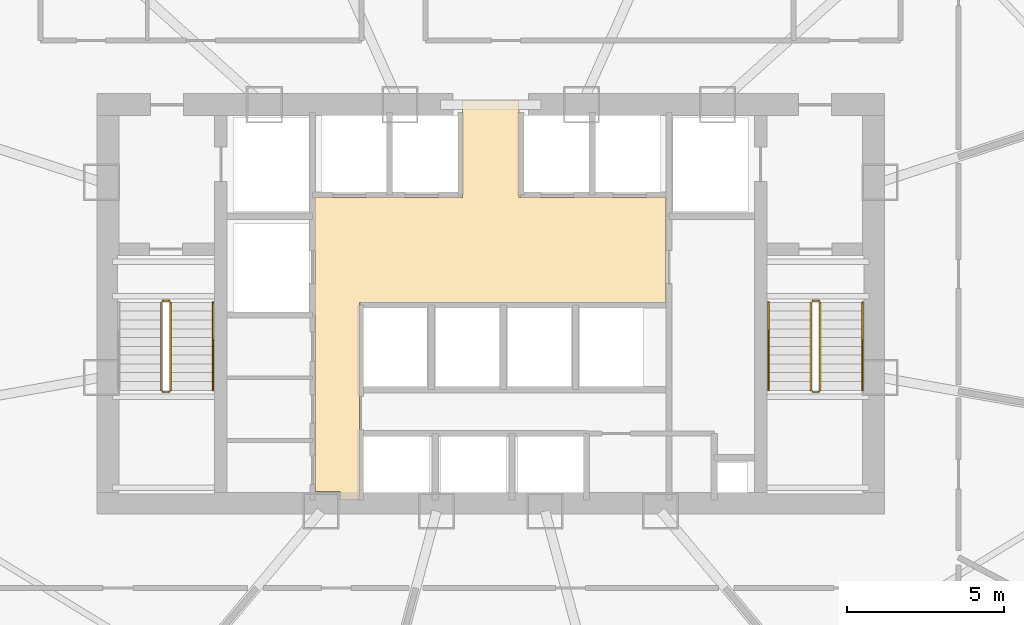
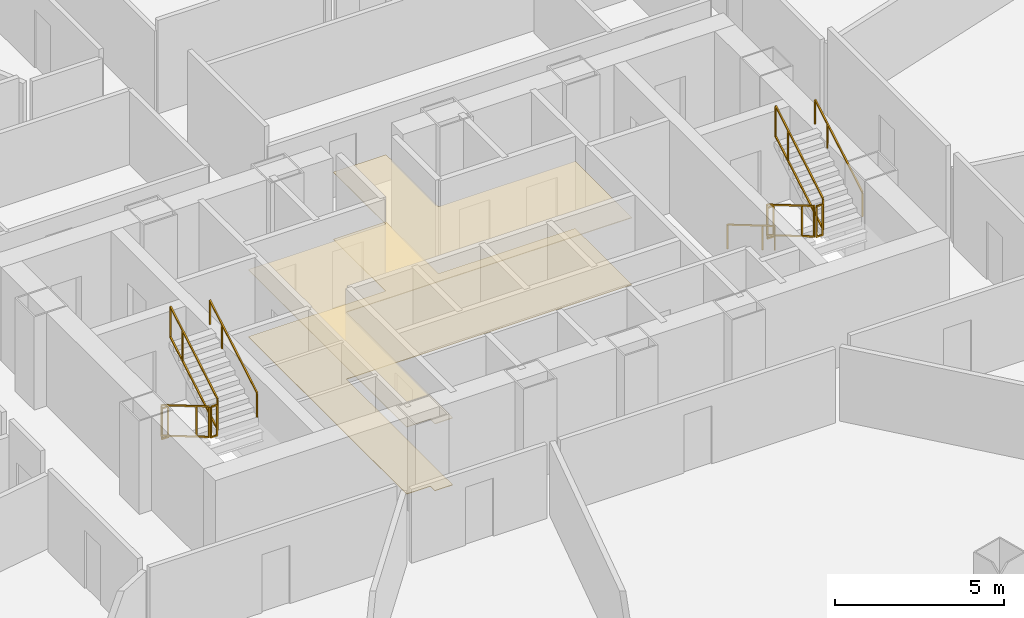
# One storey, part 35 of 37: 11 railings, 2 coverings.
"""IFC4 building model written with IfcOpenShell, lengths in metres."""

from ifc_helpers import new_model, si_unit, direction, frame, origin, origin_2d, place, context, subcontext, project, spatial, polyline, rectangle, outline, extrude, material, layer, layer_set, type_object, element, save


model = new_model("IFC4")

# Units and contexts
model_context = context("Model", 3, precision=1e-05, world=origin(), true_north=direction((0.0, 1.0)))
body_context = subcontext(model_context, "Body", "Model", "MODEL_VIEW")
ifc_project = project(units=[si_unit("LENGTHUNIT", "METRE"), si_unit("AREAUNIT", "SQUARE_METRE"), si_unit("VOLUMEUNIT", "CUBIC_METRE"), si_unit("PLANEANGLEUNIT", "RADIAN"), si_unit("MASSUNIT", "GRAM", prefix="KILO"), si_unit("THERMODYNAMICTEMPERATUREUNIT", "KELVIN"), si_unit("POWERUNIT", "WATT")], contexts=[model_context])

# Site, building, storey
site_placement = place(None, origin())
site = spatial("IfcSite", under=ifc_project, at=site_placement, CompositionType="ELEMENT")
building_placement = place(site_placement, origin())
building = spatial("IfcBuilding", under=site, at=building_placement, Name="Yunzhuo Pagoda Commons", CompositionType="ELEMENT")
storey_placement = place(building_placement, frame((0.0, 0.0, 52.179931640625)))
storey = spatial("IfcBuildingStorey", under=building, at=storey_placement, Name="L13", CompositionType="ELEMENT", Elevation=52.179931640625)

# Coverings
ifc_material_1 = material(Name="Mineral fibre acoustic ceiling board")
ifc_layer_1 = layer(ifc_material_1, 0.02490234375)
ifc_layer_set_1 = layer_set([ifc_layer_1], Name="Mineral fibre acoustic ceiling board")
covering_type_1 = type_object("IfcCoveringType", Name="COV-CL1 Ceiling 25", PredefinedType="CEILING", material=ifc_layer_set_1)
covering_1_placement = place(storey_placement, frame((0.0, 0.0, 2.420166015625)))
element("IfcCovering", 1, at=covering_1_placement, inside=storey, type_object=covering_type_1, Name="L13 lift lobby acoustic ceiling", PredefinedType="CEILING", context=body_context, shape_type="SweptSolid", body=[
    extrude(outline(polyline([(43.207763671875, 27.85009765625), (43.201904296875, 27.864013671875), (43.187744140625, 27.8701171875), (42.39990234375, 27.8701171875), (42.39990234375, 33.89990234375), (42.39990234375, 37.25), (47.10009765625, 37.25), (47.10009765625, 40.35009765625), (48.89990234375, 40.35009765625), (48.89990234375, 37.25), (53.580078125, 37.25), (53.580078125, 33.89990234375), (43.820068359375, 33.89990234375), (43.820068359375, 27.60009765625), (43.207763671875, 27.60009765625), (43.207763671875, 27.85009765625)])), origin(), (0.0, 0.0, 1.0), 0.02490234375),
])
ifc_material_2 = material(Name="Porcelain ceramic floor tile")
ifc_layer_2 = layer(ifc_material_2, 0.02001953125)
ifc_layer_set_2 = layer_set([ifc_layer_2], Name="Porcelain ceramic floor tile")
covering_type_2 = type_object("IfcCoveringType", Name="COV-FL1 Flooring 20", PredefinedType="FLOORING", material=ifc_layer_set_2)
covering_2_placement = place(storey_placement, origin())
element("IfcCovering", 2, at=covering_2_placement, inside=storey, type_object=covering_type_2, Name="L13 lift lobby flooring", PredefinedType="FLOORING", context=body_context, shape_type="SweptSolid", body=[
    extrude(outline(polyline([(43.207763671875, 27.85009765625), (43.201904296875, 27.864013671875), (43.187744140625, 27.8701171875), (42.39990234375, 27.8701171875), (42.39990234375, 33.89990234375), (42.39990234375, 37.25), (47.10009765625, 37.25), (47.10009765625, 40.35009765625), (48.89990234375, 40.35009765625), (48.89990234375, 37.25), (53.580078125, 37.25), (53.580078125, 33.89990234375), (43.820068359375, 33.89990234375), (43.820068359375, 27.60009765625), (43.207763671875, 27.60009765625), (43.207763671875, 27.85009765625)])), origin(), (0.0, 0.0, 1.0), 0.02001953125),
])

# Railings
ifc_material_3 = material(Name="Anodized aluminium 6063-T6", Category="aluminium")
railing_type_1 = type_object("IfcRailingType", Name="GR-ST1 Stair Well Guardrail 1150", PredefinedType="GUARDRAIL", material=ifc_material_3)
railing_1_placement = place(storey_placement, frame((37.5, 33.89990234375, 0.1650390625)))
element("IfcRailing", 3, at=railing_1_placement, inside=storey, type_object=railing_type_1, Name="L13 ST1 stair guard 1", PredefinedType="GUARDRAIL", context=body_context, shape_type="SweptSolid", body=[
    extrude(rectangle(XDim=0.048095703125, YDim=0.048095703125, at=origin_2d()), frame((0.0, 0.0, 1.1259765625), z_axis=(0.0, -0.861503254194, 0.507752048753), x_axis=(1.0, 0.0, 0.0)), (0.0, 0.0, 1.0), 3.25),
    extrude(rectangle(XDim=0.048095703125, YDim=0.048095703125, at=origin_2d()), frame((0.0, 0.0, 0.02392578125), z_axis=(0.0, -0.861503254194, 0.507752048753), x_axis=(1.0, 0.0, 0.0)), (0.0, 0.0, 1.0), 3.25),
    extrude(rectangle(XDim=0.0419921875, YDim=0.0419921875, at=origin_2d()), origin(), (0.0, 0.0, 1.0), 1.101806640625),
    extrude(rectangle(XDim=0.0419921875, YDim=0.0419921875, at=origin_2d()), frame((0.0, -2.067626953125, 1.218505859375)), (0.0, 0.0, 1.0), 1.101806640625),
    extrude(rectangle(XDim=0.0419921875, YDim=0.0419921875, at=origin_2d()), frame((0.0, -2.7998046875, 1.650146484375)), (0.0, 0.0, 1.0), 1.101806640625),
])
railing_2_placement = place(storey_placement, frame((37.550048828125, 31.050048828125, 1.815185546875)))
element("IfcRailing", 4, at=railing_2_placement, inside=storey, type_object=railing_type_1, Name="L13 ST1 stair guard 2", PredefinedType="GUARDRAIL", context=body_context, shape_type="SweptSolid", body=[
    extrude(rectangle(XDim=0.048095703125, YDim=0.048095703125, at=origin_2d()), frame((0.0, 0.0, 1.1259765625), z_axis=(1.0, 0.0, 0.0), x_axis=(0.0, 1.0, 0.0)), (0.0, 0.0, 1.0), 0.199951171875),
    extrude(rectangle(XDim=0.048095703125, YDim=0.048095703125, at=origin_2d()), frame((0.0, 0.0, 0.02392578125), z_axis=(1.0, 0.0, 0.0), x_axis=(0.0, 1.0, 0.0)), (0.0, 0.0, 1.0), 0.199951171875),
    extrude(rectangle(XDim=0.0419921875, YDim=0.0419921875, at=origin_2d()), origin(), (0.0, 0.0, 1.0), 1.101806640625),
    extrude(rectangle(XDim=0.0419921875, YDim=0.0419921875, at=origin_2d()), frame((0.199951171875, 0.0, 0.0)), (0.0, 0.0, 1.0), 1.101806640625),
])
railing_3_placement = place(storey_placement, frame((37.800048828125, 31.10009765625, 1.97998046875)))
element("IfcRailing", 5, at=railing_3_placement, inside=storey, type_object=railing_type_1, Name="L13 ST1 stair guard 3", PredefinedType="GUARDRAIL", context=body_context, shape_type="SweptSolid", body=[
    extrude(rectangle(XDim=0.048095703125, YDim=0.048095703125, at=origin_2d()), frame((0.0, 0.0, 1.1259765625), z_axis=(0.0, 0.861503254194, 0.507752048753), x_axis=(-1.0, 0.0, 0.0)), (0.0, 0.0, 1.0), 3.25),
    extrude(rectangle(XDim=0.048095703125, YDim=0.048095703125, at=origin_2d()), frame((0.0, 0.0, 0.02392578125), z_axis=(0.0, 0.861503254194, 0.507752048753), x_axis=(-1.0, 0.0, 0.0)), (0.0, 0.0, 1.0), 3.25),
    extrude(rectangle(XDim=0.0419921875, YDim=0.0419921875, at=origin_2d()), origin(), (0.0, 0.0, 1.0), 1.101806640625),
    extrude(rectangle(XDim=0.0419921875, YDim=0.0419921875, at=origin_2d()), frame((0.0, 2.067626953125, 1.218505859375)), (0.0, 0.0, 1.0), 1.101806640625),
    extrude(rectangle(XDim=0.0419921875, YDim=0.0419921875, at=origin_2d()), frame((0.0, 2.7998046875, 1.650146484375)), (0.0, 0.0, 1.0), 1.101806640625),
])
railing_4_placement = place(storey_placement, frame((37.550048828125, 33.949951171875, 0.0)))
element("IfcRailing", 6, at=railing_4_placement, inside=storey, type_object=railing_type_1, Name="L13 ST1 stair guard 4", PredefinedType="GUARDRAIL", context=body_context, shape_type="SweptSolid", body=[
    extrude(rectangle(XDim=0.048095703125, YDim=0.048095703125, at=origin_2d()), frame((0.0, 0.0, 1.1259765625), z_axis=(1.0, 0.0, 0.0), x_axis=(0.0, 1.0, 0.0)), (0.0, 0.0, 1.0), 0.199951171875),
    extrude(rectangle(XDim=0.048095703125, YDim=0.048095703125, at=origin_2d()), frame((0.0, 0.0, 0.02392578125), z_axis=(1.0, 0.0, 0.0), x_axis=(0.0, 1.0, 0.0)), (0.0, 0.0, 1.0), 0.199951171875),
    extrude(rectangle(XDim=0.0419921875, YDim=0.0419921875, at=origin_2d()), origin(), (0.0, 0.0, 1.0), 1.101806640625),
    extrude(rectangle(XDim=0.0419921875, YDim=0.0419921875, at=origin_2d()), frame((0.199951171875, 0.0, 0.0)), (0.0, 0.0, 1.0), 1.101806640625),
])
railing_type_2 = type_object("IfcRailingType", Name="GR-ST2 Stair Well Guardrail 1160", PredefinedType="GUARDRAIL", material=ifc_material_3)
railing_5_placement = place(storey_placement, frame((58.199951171875, 33.89990234375, 0.1650390625)))
element("IfcRailing", 7, at=railing_5_placement, inside=storey, type_object=railing_type_2, Name="L13 ST2 stair guard 1", PredefinedType="GUARDRAIL", context=body_context, shape_type="SweptSolid", body=[
    extrude(rectangle(XDim=0.048095703125, YDim=0.048095703125, at=origin_2d()), frame((0.0, 0.0, 1.1259765625), z_axis=(0.0, -0.861503254194, 0.507752048753), x_axis=(1.0, 0.0, 0.0)), (0.0, 0.0, 1.0), 3.25),
    extrude(rectangle(XDim=0.048095703125, YDim=0.048095703125, at=origin_2d()), frame((0.0, 0.0, 0.02392578125), z_axis=(0.0, -0.861503254194, 0.507752048753), x_axis=(1.0, 0.0, 0.0)), (0.0, 0.0, 1.0), 3.25),
    extrude(rectangle(XDim=0.0419921875, YDim=0.0419921875, at=origin_2d()), origin(), (0.0, 0.0, 1.0), 1.101806640625),
    extrude(rectangle(XDim=0.0419921875, YDim=0.0419921875, at=origin_2d()), frame((0.0, -2.067626953125, 1.218505859375)), (0.0, 0.0, 1.0), 1.101806640625),
    extrude(rectangle(XDim=0.0419921875, YDim=0.0419921875, at=origin_2d()), frame((0.0, -2.7998046875, 1.650146484375)), (0.0, 0.0, 1.0), 1.101806640625),
])
railing_6_placement = place(storey_placement, frame((58.25, 31.050048828125, 1.815185546875)))
element("IfcRailing", 8, at=railing_6_placement, inside=storey, type_object=railing_type_2, Name="L13 ST2 stair guard 2", PredefinedType="GUARDRAIL", context=body_context, shape_type="SweptSolid", body=[
    extrude(rectangle(XDim=0.048095703125, YDim=0.048095703125, at=origin_2d()), frame((0.0, 0.0, 1.1259765625), z_axis=(1.0, 0.0, 0.0), x_axis=(0.0, 1.0, 0.0)), (0.0, 0.0, 1.0), 0.199951171875),
    extrude(rectangle(XDim=0.048095703125, YDim=0.048095703125, at=origin_2d()), frame((0.0, 0.0, 0.02392578125), z_axis=(1.0, 0.0, 0.0), x_axis=(0.0, 1.0, 0.0)), (0.0, 0.0, 1.0), 0.199951171875),
    extrude(rectangle(XDim=0.0419921875, YDim=0.0419921875, at=origin_2d()), origin(), (0.0, 0.0, 1.0), 1.101806640625),
    extrude(rectangle(XDim=0.0419921875, YDim=0.0419921875, at=origin_2d()), frame((0.199951171875, 0.0, 0.0)), (0.0, 0.0, 1.0), 1.101806640625),
])
railing_7_placement = place(storey_placement, frame((58.5, 31.10009765625, 1.97998046875)))
element("IfcRailing", 9, at=railing_7_placement, inside=storey, type_object=railing_type_2, Name="L13 ST2 stair guard 3", PredefinedType="GUARDRAIL", context=body_context, shape_type="SweptSolid", body=[
    extrude(rectangle(XDim=0.048095703125, YDim=0.048095703125, at=origin_2d()), frame((0.0, 0.0, 1.1259765625), z_axis=(0.0, 0.861503254194, 0.507752048753), x_axis=(-1.0, 0.0, 0.0)), (0.0, 0.0, 1.0), 3.25),
    extrude(rectangle(XDim=0.048095703125, YDim=0.048095703125, at=origin_2d()), frame((0.0, 0.0, 0.02392578125), z_axis=(0.0, 0.861503254194, 0.507752048753), x_axis=(-1.0, 0.0, 0.0)), (0.0, 0.0, 1.0), 3.25),
    extrude(rectangle(XDim=0.0419921875, YDim=0.0419921875, at=origin_2d()), origin(), (0.0, 0.0, 1.0), 1.101806640625),
    extrude(rectangle(XDim=0.0419921875, YDim=0.0419921875, at=origin_2d()), frame((0.0, 2.067626953125, 1.218505859375)), (0.0, 0.0, 1.0), 1.101806640625),
    extrude(rectangle(XDim=0.0419921875, YDim=0.0419921875, at=origin_2d()), frame((0.0, 2.7998046875, 1.650146484375)), (0.0, 0.0, 1.0), 1.101806640625),
])
railing_8_placement = place(storey_placement, frame((58.25, 33.949951171875, 0.0)))
element("IfcRailing", 10, at=railing_8_placement, inside=storey, type_object=railing_type_2, Name="L13 ST2 stair guard 4", PredefinedType="GUARDRAIL", context=body_context, shape_type="SweptSolid", body=[
    extrude(rectangle(XDim=0.048095703125, YDim=0.048095703125, at=origin_2d()), frame((0.0, 0.0, 1.1259765625), z_axis=(1.0, 0.0, 0.0), x_axis=(0.0, 1.0, 0.0)), (0.0, 0.0, 1.0), 0.199951171875),
    extrude(rectangle(XDim=0.048095703125, YDim=0.048095703125, at=origin_2d()), frame((0.0, 0.0, 0.02392578125), z_axis=(1.0, 0.0, 0.0), x_axis=(0.0, 1.0, 0.0)), (0.0, 0.0, 1.0), 0.199951171875),
    extrude(rectangle(XDim=0.0419921875, YDim=0.0419921875, at=origin_2d()), origin(), (0.0, 0.0, 1.0), 1.101806640625),
    extrude(rectangle(XDim=0.0419921875, YDim=0.0419921875, at=origin_2d()), frame((0.199951171875, 0.0, 0.0)), (0.0, 0.0, 1.0), 1.101806640625),
])
railing_type_3 = type_object("IfcRailingType", Name="HR-ST1 Stair Handrail 900", PredefinedType="HANDRAIL", material=ifc_material_3)
railing_9_placement = place(storey_placement, frame((39.14990234375, 31.10009765625, 1.97998046875)))
element("IfcRailing", 11, at=railing_9_placement, inside=storey, type_object=railing_type_3, Name="L13 ST1 stair handrail 2", PredefinedType="HANDRAIL", context=body_context, shape_type="SweptSolid", body=[
    extrude(rectangle(XDim=0.048095703125, YDim=0.048095703125, at=origin_2d()), frame((0.0, 0.0, 0.8759765625), z_axis=(0.0, 0.861503254194, 0.507752048753), x_axis=(-1.0, 0.0, 0.0)), (0.0, 0.0, 1.0), 3.25),
    extrude(rectangle(XDim=0.0419921875, YDim=0.0419921875, at=origin_2d()), origin(), (0.0, 0.0, 1.0), 0.851806640625),
    extrude(rectangle(XDim=0.0419921875, YDim=0.0419921875, at=origin_2d()), frame((0.0, 2.067626953125, 1.218505859375)), (0.0, 0.0, 1.0), 0.851806640625),
    extrude(rectangle(XDim=0.0419921875, YDim=0.0419921875, at=origin_2d()), frame((0.0, 2.7998046875, 1.650146484375)), (0.0, 0.0, 1.0), 0.851806640625),
])
railing_type_4 = type_object("IfcRailingType", Name="HR-ST2 Stair Handrail 900", PredefinedType="HANDRAIL", material=ifc_material_3)
railing_10_placement = place(storey_placement, frame((56.85009765625, 33.89990234375, 0.1650390625)))
element("IfcRailing", 12, at=railing_10_placement, inside=storey, type_object=railing_type_4, Name="L13 ST2 stair handrail 1", PredefinedType="HANDRAIL", context=body_context, shape_type="SweptSolid", body=[
    extrude(rectangle(XDim=0.048095703125, YDim=0.048095703125, at=origin_2d()), frame((0.0, 0.0, 0.8759765625), z_axis=(0.0, -0.861503254194, 0.507752048753), x_axis=(1.0, 0.0, 0.0)), (0.0, 0.0, 1.0), 3.25),
    extrude(rectangle(XDim=0.0419921875, YDim=0.0419921875, at=origin_2d()), origin(), (0.0, 0.0, 1.0), 0.851806640625),
    extrude(rectangle(XDim=0.0419921875, YDim=0.0419921875, at=origin_2d()), frame((0.0, -2.067626953125, 1.218505859375)), (0.0, 0.0, 1.0), 0.851806640625),
    extrude(rectangle(XDim=0.0419921875, YDim=0.0419921875, at=origin_2d()), frame((0.0, -2.7998046875, 1.650146484375)), (0.0, 0.0, 1.0), 0.851806640625),
])
railing_11_placement = place(storey_placement, frame((59.85009765625, 31.10009765625, 1.97998046875)))
element("IfcRailing", 13, at=railing_11_placement, inside=storey, type_object=railing_type_4, Name="L13 ST2 stair handrail 2", PredefinedType="HANDRAIL", context=body_context, shape_type="SweptSolid", body=[
    extrude(rectangle(XDim=0.048095703125, YDim=0.048095703125, at=origin_2d()), frame((0.0, 0.0, 0.8759765625), z_axis=(0.0, 0.861503254194, 0.507752048753), x_axis=(-1.0, 0.0, 0.0)), (0.0, 0.0, 1.0), 3.25),
    extrude(rectangle(XDim=0.0419921875, YDim=0.0419921875, at=origin_2d()), origin(), (0.0, 0.0, 1.0), 0.851806640625),
    extrude(rectangle(XDim=0.0419921875, YDim=0.0419921875, at=origin_2d()), frame((0.0, 2.067626953125, 1.218505859375)), (0.0, 0.0, 1.0), 0.851806640625),
    extrude(rectangle(XDim=0.0419921875, YDim=0.0419921875, at=origin_2d()), frame((0.0, 2.7998046875, 1.650146484375)), (0.0, 0.0, 1.0), 0.851806640625),
])

save(model, "model.ifc")
